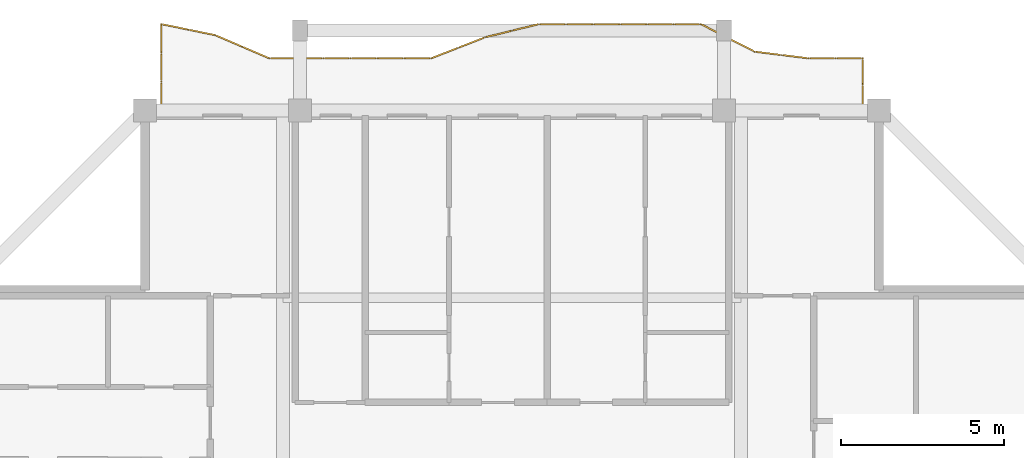
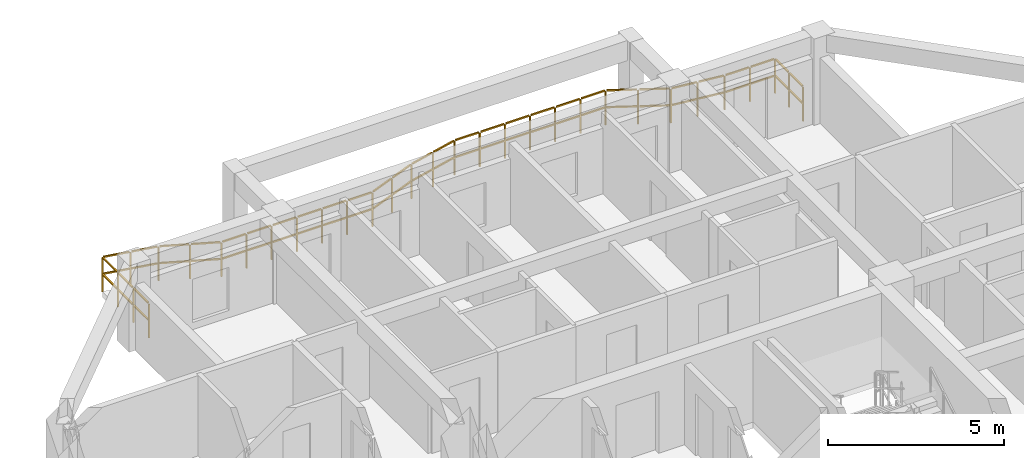
# One storey, part 14 of 14: 1 railing.
"""IFC4 building model written with IfcOpenShell, lengths in metres."""

from ifc_helpers import new_model, si_unit, direction, frame, origin, origin_2d, place, context, subcontext, project, spatial, rectangle, extrude, material, type_object, element, save


model = new_model("IFC4")

# Units and contexts
model_context = context("Model", 3, precision=1e-05, world=origin(), true_north=direction((0.0, 1.0)))
body_context = subcontext(model_context, "Body", "Model", "MODEL_VIEW")
ifc_project = project(units=[si_unit("LENGTHUNIT", "METRE"), si_unit("AREAUNIT", "SQUARE_METRE"), si_unit("VOLUMEUNIT", "CUBIC_METRE"), si_unit("PLANEANGLEUNIT", "RADIAN"), si_unit("MASSUNIT", "GRAM", prefix="KILO")], contexts=[model_context])

# Site, building, storey
site_placement = place(None, origin())
site = spatial("IfcSite", under=ifc_project, at=site_placement, CompositionType="ELEMENT")
building_placement = place(site_placement, origin())
building = spatial("IfcBuilding", under=site, at=building_placement, Name="Saelheon Loggia Tower", CompositionType="ELEMENT")
storey_placement = place(building_placement, frame((0.0, 0.0, 230.10009765625)))
storey = spatial("IfcBuildingStorey", under=building, at=storey_placement, Name="L71", CompositionType="ELEMENT", Elevation=230.10009765625)

# Railing
ifc_material = material(Name="Architectural Precast Concrete and Laminated Glass Guard", Category="concrete")
railing_type = type_object("IfcRailingType", Name="Guard_Loggia_RL_LOG", PredefinedType="BALUSTRADE", material=ifc_material)
railing_placement = place(storey_placement, frame((48.75, 48.0, 0.0)))
element("IfcRailing", 1, at=railing_placement, inside=storey, type_object=railing_type, Name="L71 North Loggia Balustrade", PredefinedType="BALUSTRADE", context=body_context, shape_type="SweptSolid", body=[
    extrude(rectangle(XDim=0.048095703125, YDim=0.048095703125, at=origin_2d()), frame((0.0, 0.033203125, 1.19580078125), z_axis=(0.0, 1.0, 0.0), x_axis=(-1.0, 0.0, 0.0)), (0.0, 0.0, 1.0), 0.733642578125),
    extrude(rectangle(XDim=0.048095703125, YDim=0.048095703125, at=origin_2d()), frame((0.0, 0.033203125, 0.60986328125), z_axis=(0.0, 1.0, 0.0), x_axis=(-1.0, 0.0, 0.0)), (0.0, 0.0, 1.0), 0.733642578125),
    extrude(rectangle(XDim=0.048095703125, YDim=0.048095703125, at=origin_2d()), frame((0.0, 0.833251953125, 1.19580078125), z_axis=(0.0, 1.0, 0.0), x_axis=(-1.0, 0.0, 0.0)), (0.0, 0.0, 1.0), 0.733642578125),
    extrude(rectangle(XDim=0.048095703125, YDim=0.048095703125, at=origin_2d()), frame((0.0, 0.833251953125, 0.60986328125), z_axis=(0.0, 1.0, 0.0), x_axis=(-1.0, 0.0, 0.0)), (0.0, 0.0, 1.0), 0.733642578125),
    extrude(rectangle(XDim=0.048095703125, YDim=0.048095703125, at=origin_2d()), frame((-0.033203125, 1.60009765625, 1.19580078125), z_axis=(-1.0, 0.0, 0.0), x_axis=(0.0, -1.0, 0.0)), (0.0, 0.0, 1.0), 0.760498046875),
    extrude(rectangle(XDim=0.048095703125, YDim=0.048095703125, at=origin_2d()), frame((-0.033203125, 1.60009765625, 0.60986328125), z_axis=(-1.0, 0.0, 0.0), x_axis=(0.0, -1.0, 0.0)), (0.0, 0.0, 1.0), 0.760498046875),
    extrude(rectangle(XDim=0.048095703125, YDim=0.048095703125, at=origin_2d()), frame((-0.860107421875, 1.60009765625, 1.19580078125), z_axis=(-1.0, 0.0, 0.0), x_axis=(0.0, -1.0, 0.0)), (0.0, 0.0, 1.0), 0.760498046875),
    extrude(rectangle(XDim=0.048095703125, YDim=0.048095703125, at=origin_2d()), frame((-0.860107421875, 1.60009765625, 0.60986328125), z_axis=(-1.0, 0.0, 0.0), x_axis=(0.0, -1.0, 0.0)), (0.0, 0.0, 1.0), 0.760498046875),
    extrude(rectangle(XDim=0.048095703125, YDim=0.048095703125, at=origin_2d()), frame((-1.686767578125, 1.604248046875, 1.19580078125), z_axis=(-0.99243485013, 0.122772424625, 0.0), x_axis=(-0.122772424625, -0.99243485013, 0.0)), (0.0, 0.0, 1.0), 0.766845703125),
    extrude(rectangle(XDim=0.048095703125, YDim=0.048095703125, at=origin_2d()), frame((-1.686767578125, 1.604248046875, 0.60986328125), z_axis=(-0.99243485013, 0.122772424625, 0.0), x_axis=(-0.122772424625, -0.99243485013, 0.0)), (0.0, 0.0, 1.0), 0.766845703125),
    extrude(rectangle(XDim=0.048095703125, YDim=0.048095703125, at=origin_2d()), frame((-2.513671875, 1.70654296875, 1.19580078125), z_axis=(-0.99243485013, 0.122772424625, 0.0), x_axis=(-0.122772424625, -0.99243485013, 0.0)), (0.0, 0.0, 1.0), 0.766845703125),
    extrude(rectangle(XDim=0.048095703125, YDim=0.048095703125, at=origin_2d()), frame((-2.513671875, 1.70654296875, 0.60986328125), z_axis=(-0.99243485013, 0.122772424625, 0.0), x_axis=(-0.122772424625, -0.99243485013, 0.0)), (0.0, 0.0, 1.0), 0.766845703125),
    extrude(rectangle(XDim=0.048095703125, YDim=0.048095703125, at=origin_2d()), frame((-3.337158203125, 1.81982421875, 1.19580078125), z_axis=(-0.890448887114, 0.455083266488, 0.0), x_axis=(-0.455083266488, -0.890448887114, 0.0)), (0.0, 0.0, 1.0), 0.862060546875),
    extrude(rectangle(XDim=0.048095703125, YDim=0.048095703125, at=origin_2d()), frame((-3.337158203125, 1.81982421875, 0.60986328125), z_axis=(-0.890448887114, 0.455083266488, 0.0), x_axis=(-0.455083266488, -0.890448887114, 0.0)), (0.0, 0.0, 1.0), 0.862060546875),
    extrude(rectangle(XDim=0.048095703125, YDim=0.048095703125, at=origin_2d()), frame((-4.1640625, 2.242431640625, 1.19580078125), z_axis=(-0.890448887114, 0.455083266488, 0.0), x_axis=(-0.455083266488, -0.890448887114, 0.0)), (0.0, 0.0, 1.0), 0.862060546875),
    extrude(rectangle(XDim=0.048095703125, YDim=0.048095703125, at=origin_2d()), frame((-4.1640625, 2.242431640625, 0.60986328125), z_axis=(-0.890448887114, 0.455083266488, 0.0), x_axis=(-0.455083266488, -0.890448887114, 0.0)), (0.0, 0.0, 1.0), 0.862060546875),
    extrude(rectangle(XDim=0.048095703125, YDim=0.048095703125, at=origin_2d()), frame((-4.99462890625, 2.64990234375, 1.19580078125), z_axis=(-1.0, 0.0, 0.0), x_axis=(0.0, -1.0, 0.0)), (0.0, 0.0, 1.0), 0.760498046875),
    extrude(rectangle(XDim=0.048095703125, YDim=0.048095703125, at=origin_2d()), frame((-4.99462890625, 2.64990234375, 0.60986328125), z_axis=(-1.0, 0.0, 0.0), x_axis=(0.0, -1.0, 0.0)), (0.0, 0.0, 1.0), 0.760498046875),
    extrude(rectangle(XDim=0.048095703125, YDim=0.048095703125, at=origin_2d()), frame((-5.82177734375, 2.64990234375, 1.19580078125), z_axis=(-1.0, 0.0, 0.0), x_axis=(0.0, -1.0, 0.0)), (0.0, 0.0, 1.0), 0.760498046875),
    extrude(rectangle(XDim=0.048095703125, YDim=0.048095703125, at=origin_2d()), frame((-5.82177734375, 2.64990234375, 0.60986328125), z_axis=(-1.0, 0.0, 0.0), x_axis=(0.0, -1.0, 0.0)), (0.0, 0.0, 1.0), 0.760498046875),
    extrude(rectangle(XDim=0.048095703125, YDim=0.048095703125, at=origin_2d()), frame((-6.648681640625, 2.64990234375, 1.19580078125), z_axis=(-1.0, 0.0, 0.0), x_axis=(0.0, -1.0, 0.0)), (0.0, 0.0, 1.0), 0.760498046875),
    extrude(rectangle(XDim=0.048095703125, YDim=0.048095703125, at=origin_2d()), frame((-6.648681640625, 2.64990234375, 0.60986328125), z_axis=(-1.0, 0.0, 0.0), x_axis=(0.0, -1.0, 0.0)), (0.0, 0.0, 1.0), 0.760498046875),
    extrude(rectangle(XDim=0.048095703125, YDim=0.048095703125, at=origin_2d()), frame((-7.4755859375, 2.64990234375, 1.19580078125), z_axis=(-1.0, 0.0, 0.0), x_axis=(0.0, -1.0, 0.0)), (0.0, 0.0, 1.0), 0.760498046875),
    extrude(rectangle(XDim=0.048095703125, YDim=0.048095703125, at=origin_2d()), frame((-7.4755859375, 2.64990234375, 0.60986328125), z_axis=(-1.0, 0.0, 0.0), x_axis=(0.0, -1.0, 0.0)), (0.0, 0.0, 1.0), 0.760498046875),
    extrude(rectangle(XDim=0.048095703125, YDim=0.048095703125, at=origin_2d()), frame((-8.302490234375, 2.64990234375, 1.19580078125), z_axis=(-1.0, 0.0, 0.0), x_axis=(0.0, -1.0, 0.0)), (0.0, 0.0, 1.0), 0.760498046875),
    extrude(rectangle(XDim=0.048095703125, YDim=0.048095703125, at=origin_2d()), frame((-8.302490234375, 2.64990234375, 0.60986328125), z_axis=(-1.0, 0.0, 0.0), x_axis=(0.0, -1.0, 0.0)), (0.0, 0.0, 1.0), 0.760498046875),
    extrude(rectangle(XDim=0.048095703125, YDim=0.048095703125, at=origin_2d()), frame((-9.12939453125, 2.64990234375, 1.19580078125), z_axis=(-1.0, 0.0, 0.0), x_axis=(0.0, -1.0, 0.0)), (0.0, 0.0, 1.0), 0.760498046875),
    extrude(rectangle(XDim=0.048095703125, YDim=0.048095703125, at=origin_2d()), frame((-9.12939453125, 2.64990234375, 0.60986328125), z_axis=(-1.0, 0.0, 0.0), x_axis=(0.0, -1.0, 0.0)), (0.0, 0.0, 1.0), 0.760498046875),
    extrude(rectangle(XDim=0.048095703125, YDim=0.048095703125, at=origin_2d()), frame((-9.955322265625, 2.64208984375, 1.19580078125), z_axis=(-0.971162634312, -0.238417989498, 0.0), x_axis=(0.238417989498, -0.971162634312, 0.0)), (0.0, 0.0, 1.0), 0.784912109375),
    extrude(rectangle(XDim=0.048095703125, YDim=0.048095703125, at=origin_2d()), frame((-9.955322265625, 2.64208984375, 0.60986328125), z_axis=(-0.971162634312, -0.238417989498, 0.0), x_axis=(0.238417989498, -0.971162634312, 0.0)), (0.0, 0.0, 1.0), 0.784912109375),
    extrude(rectangle(XDim=0.048095703125, YDim=0.048095703125, at=origin_2d()), frame((-10.7822265625, 2.43896484375, 1.19580078125), z_axis=(-0.971162634312, -0.238417989498, 0.0), x_axis=(0.238417989498, -0.971162634312, 0.0)), (0.0, 0.0, 1.0), 0.784912109375),
    extrude(rectangle(XDim=0.048095703125, YDim=0.048095703125, at=origin_2d()), frame((-10.7822265625, 2.43896484375, 0.60986328125), z_axis=(-0.971162634312, -0.238417989498, 0.0), x_axis=(0.238417989498, -0.971162634312, 0.0)), (0.0, 0.0, 1.0), 0.784912109375),
    extrude(rectangle(XDim=0.048095703125, YDim=0.048095703125, at=origin_2d()), frame((-11.60791015625, 2.23193359375, 1.19580078125), z_axis=(-0.931880695879, -0.362764894454, 0.0), x_axis=(0.362764894454, -0.931880695879, 0.0)), (0.0, 0.0, 1.0), 0.82080078125),
    extrude(rectangle(XDim=0.048095703125, YDim=0.048095703125, at=origin_2d()), frame((-11.60791015625, 2.23193359375, 0.60986328125), z_axis=(-0.931880695879, -0.362764894454, 0.0), x_axis=(0.362764894454, -0.931880695879, 0.0)), (0.0, 0.0, 1.0), 0.82080078125),
    extrude(rectangle(XDim=0.048095703125, YDim=0.048095703125, at=origin_2d()), frame((-12.434814453125, 1.909912109375, 1.19580078125), z_axis=(-0.931880695879, -0.362764894454, 0.0), x_axis=(0.362764894454, -0.931880695879, 0.0)), (0.0, 0.0, 1.0), 0.82080078125),
    extrude(rectangle(XDim=0.048095703125, YDim=0.048095703125, at=origin_2d()), frame((-12.434814453125, 1.909912109375, 0.60986328125), z_axis=(-0.931880695879, -0.362764894454, 0.0), x_axis=(0.362764894454, -0.931880695879, 0.0)), (0.0, 0.0, 1.0), 0.82080078125),
    extrude(rectangle(XDim=0.048095703125, YDim=0.048095703125, at=origin_2d()), frame((-13.263916015625, 1.60009765625, 1.19580078125), z_axis=(-1.0, 0.0, 0.0), x_axis=(0.0, -1.0, 0.0)), (0.0, 0.0, 1.0), 0.760498046875),
    extrude(rectangle(XDim=0.048095703125, YDim=0.048095703125, at=origin_2d()), frame((-13.263916015625, 1.60009765625, 0.60986328125), z_axis=(-1.0, 0.0, 0.0), x_axis=(0.0, -1.0, 0.0)), (0.0, 0.0, 1.0), 0.760498046875),
    extrude(rectangle(XDim=0.048095703125, YDim=0.048095703125, at=origin_2d()), frame((-14.0908203125, 1.60009765625, 1.19580078125), z_axis=(-1.0, 0.0, 0.0), x_axis=(0.0, -1.0, 0.0)), (0.0, 0.0, 1.0), 0.760498046875),
    extrude(rectangle(XDim=0.048095703125, YDim=0.048095703125, at=origin_2d()), frame((-14.0908203125, 1.60009765625, 0.60986328125), z_axis=(-1.0, 0.0, 0.0), x_axis=(0.0, -1.0, 0.0)), (0.0, 0.0, 1.0), 0.760498046875),
    extrude(rectangle(XDim=0.048095703125, YDim=0.048095703125, at=origin_2d()), frame((-14.917724609375, 1.60009765625, 1.19580078125), z_axis=(-1.0, 0.0, 0.0), x_axis=(0.0, -1.0, 0.0)), (0.0, 0.0, 1.0), 0.760498046875),
    extrude(rectangle(XDim=0.048095703125, YDim=0.048095703125, at=origin_2d()), frame((-14.917724609375, 1.60009765625, 0.60986328125), z_axis=(-1.0, 0.0, 0.0), x_axis=(0.0, -1.0, 0.0)), (0.0, 0.0, 1.0), 0.760498046875),
    extrude(rectangle(XDim=0.048095703125, YDim=0.048095703125, at=origin_2d()), frame((-15.744873046875, 1.60009765625, 1.19580078125), z_axis=(-1.0, 0.0, 0.0), x_axis=(0.0, -1.0, 0.0)), (0.0, 0.0, 1.0), 0.760498046875),
    extrude(rectangle(XDim=0.048095703125, YDim=0.048095703125, at=origin_2d()), frame((-15.744873046875, 1.60009765625, 0.60986328125), z_axis=(-1.0, 0.0, 0.0), x_axis=(0.0, -1.0, 0.0)), (0.0, 0.0, 1.0), 0.760498046875),
    extrude(rectangle(XDim=0.048095703125, YDim=0.048095703125, at=origin_2d()), frame((-16.57177734375, 1.60009765625, 1.19580078125), z_axis=(-1.0, 0.0, 0.0), x_axis=(0.0, -1.0, 0.0)), (0.0, 0.0, 1.0), 0.760498046875),
    extrude(rectangle(XDim=0.048095703125, YDim=0.048095703125, at=origin_2d()), frame((-16.57177734375, 1.60009765625, 0.60986328125), z_axis=(-1.0, 0.0, 0.0), x_axis=(0.0, -1.0, 0.0)), (0.0, 0.0, 1.0), 0.760498046875),
    extrude(rectangle(XDim=0.048095703125, YDim=0.048095703125, at=origin_2d()), frame((-17.398681640625, 1.60009765625, 1.19580078125), z_axis=(-1.0, 0.0, 0.0), x_axis=(0.0, -1.0, 0.0)), (0.0, 0.0, 1.0), 0.760498046875),
    extrude(rectangle(XDim=0.048095703125, YDim=0.048095703125, at=origin_2d()), frame((-17.398681640625, 1.60009765625, 0.60986328125), z_axis=(-1.0, 0.0, 0.0), x_axis=(0.0, -1.0, 0.0)), (0.0, 0.0, 1.0), 0.760498046875),
    extrude(rectangle(XDim=0.048095703125, YDim=0.048095703125, at=origin_2d()), frame((-18.222900390625, 1.61328125, 1.19580078125), z_axis=(-0.918807939156, 0.39470491629, 0.0), x_axis=(-0.39470491629, -0.918807939156, 0.0)), (0.0, 0.0, 1.0), 0.83349609375),
    extrude(rectangle(XDim=0.048095703125, YDim=0.048095703125, at=origin_2d()), frame((-18.222900390625, 1.61328125, 0.60986328125), z_axis=(-0.918807939156, 0.39470491629, 0.0), x_axis=(-0.39470491629, -0.918807939156, 0.0)), (0.0, 0.0, 1.0), 0.83349609375),
    extrude(rectangle(XDim=0.048095703125, YDim=0.048095703125, at=origin_2d()), frame((-19.0498046875, 1.968505859375, 1.19580078125), z_axis=(-0.918807939156, 0.39470491629, 0.0), x_axis=(-0.39470491629, -0.918807939156, 0.0)), (0.0, 0.0, 1.0), 0.83349609375),
    extrude(rectangle(XDim=0.048095703125, YDim=0.048095703125, at=origin_2d()), frame((-19.0498046875, 1.968505859375, 0.60986328125), z_axis=(-0.918807939156, 0.39470491629, 0.0), x_axis=(-0.39470491629, -0.918807939156, 0.0)), (0.0, 0.0, 1.0), 0.83349609375),
    extrude(rectangle(XDim=0.048095703125, YDim=0.048095703125, at=origin_2d()), frame((-19.878662109375, 2.317138671875, 1.19580078125), z_axis=(-0.979589560459, 0.201008191473, 0.0), x_axis=(-0.201008191473, -0.979589560459, 0.0)), (0.0, 0.0, 1.0), 0.777587890625),
    extrude(rectangle(XDim=0.048095703125, YDim=0.048095703125, at=origin_2d()), frame((-19.878662109375, 2.317138671875, 0.60986328125), z_axis=(-0.979589560459, 0.201008191473, 0.0), x_axis=(-0.201008191473, -0.979589560459, 0.0)), (0.0, 0.0, 1.0), 0.777587890625),
    extrude(rectangle(XDim=0.048095703125, YDim=0.048095703125, at=origin_2d()), frame((-20.70556640625, 2.48681640625, 1.19580078125), z_axis=(-0.979589560459, 0.201008191473, 0.0), x_axis=(-0.201008191473, -0.979589560459, 0.0)), (0.0, 0.0, 1.0), 0.777587890625),
    extrude(rectangle(XDim=0.048095703125, YDim=0.048095703125, at=origin_2d()), frame((-20.70556640625, 2.48681640625, 0.60986328125), z_axis=(-0.979589560459, 0.201008191473, 0.0), x_axis=(-0.201008191473, -0.979589560459, 0.0)), (0.0, 0.0, 1.0), 0.777587890625),
    extrude(rectangle(XDim=0.048095703125, YDim=0.048095703125, at=origin_2d()), frame((-21.5, 2.61669921875, 1.19580078125), z_axis=(0.0, -1.0, 0.0), x_axis=(1.0, 0.0, 0.0)), (0.0, 0.0, 1.0), 0.81689453125),
    extrude(rectangle(XDim=0.048095703125, YDim=0.048095703125, at=origin_2d()), frame((-21.5, 2.61669921875, 0.60986328125), z_axis=(0.0, -1.0, 0.0), x_axis=(1.0, 0.0, 0.0)), (0.0, 0.0, 1.0), 0.81689453125),
    extrude(rectangle(XDim=0.048095703125, YDim=0.048095703125, at=origin_2d()), frame((-21.5, 1.7333984375, 1.19580078125), z_axis=(0.0, -1.0, 0.0), x_axis=(1.0, 0.0, 0.0)), (0.0, 0.0, 1.0), 0.81689453125),
    extrude(rectangle(XDim=0.048095703125, YDim=0.048095703125, at=origin_2d()), frame((-21.5, 1.7333984375, 0.60986328125), z_axis=(0.0, -1.0, 0.0), x_axis=(1.0, 0.0, 0.0)), (0.0, 0.0, 1.0), 0.81689453125),
    extrude(rectangle(XDim=0.048095703125, YDim=0.048095703125, at=origin_2d()), frame((-21.5, 0.85009765625, 1.19580078125), z_axis=(0.0, -1.0, 0.0), x_axis=(1.0, 0.0, 0.0)), (0.0, 0.0, 1.0), 0.81689453125),
    extrude(rectangle(XDim=0.048095703125, YDim=0.048095703125, at=origin_2d()), frame((-21.5, 0.85009765625, 0.60986328125), z_axis=(0.0, -1.0, 0.0), x_axis=(1.0, 0.0, 0.0)), (0.0, 0.0, 1.0), 0.81689453125),
    extrude(rectangle(XDim=0.0419921875, YDim=0.0419921875, at=origin_2d()), origin(), (0.0, 0.0, 1.0), 1.16796875),
    extrude(rectangle(XDim=0.0419921875, YDim=0.0419921875, at=origin_2d()), frame((0.0, 0.800048828125, 0.0)), (0.0, 0.0, 1.0), 1.16796875),
    extrude(rectangle(XDim=0.0419921875, YDim=0.0419921875, at=origin_2d()), frame((0.0, 1.60009765625, 0.0)), (0.0, 0.0, 1.0), 1.16796875),
    extrude(rectangle(XDim=0.0419921875, YDim=0.0419921875, at=origin_2d()), frame((-0.826904296875, 1.60009765625, 0.0)), (0.0, 0.0, 1.0), 1.16796875),
    extrude(rectangle(XDim=0.0419921875, YDim=0.0419921875, at=origin_2d()), frame((-1.65380859375, 1.60009765625, 0.0)), (0.0, 0.0, 1.0), 1.16796875),
    extrude(rectangle(XDim=0.0419921875, YDim=0.0419921875, at=origin_2d()), frame((-2.480712890625, 1.702392578125, 0.0)), (0.0, 0.0, 1.0), 1.16796875),
    extrude(rectangle(XDim=0.0419921875, YDim=0.0419921875, at=origin_2d()), frame((-3.3076171875, 1.8046875, 0.0)), (0.0, 0.0, 1.0), 1.16796875),
    extrude(rectangle(XDim=0.0419921875, YDim=0.0419921875, at=origin_2d()), frame((-4.134521484375, 2.227294921875, 0.0)), (0.0, 0.0, 1.0), 1.16796875),
    extrude(rectangle(XDim=0.0419921875, YDim=0.0419921875, at=origin_2d()), frame((-4.96142578125, 2.64990234375, 0.0)), (0.0, 0.0, 1.0), 1.16796875),
    extrude(rectangle(XDim=0.0419921875, YDim=0.0419921875, at=origin_2d()), frame((-5.78857421875, 2.64990234375, 0.0)), (0.0, 0.0, 1.0), 1.16796875),
    extrude(rectangle(XDim=0.0419921875, YDim=0.0419921875, at=origin_2d()), frame((-6.615478515625, 2.64990234375, 0.0)), (0.0, 0.0, 1.0), 1.16796875),
    extrude(rectangle(XDim=0.0419921875, YDim=0.0419921875, at=origin_2d()), frame((-7.4423828125, 2.64990234375, 0.0)), (0.0, 0.0, 1.0), 1.16796875),
    extrude(rectangle(XDim=0.0419921875, YDim=0.0419921875, at=origin_2d()), frame((-8.269287109375, 2.64990234375, 0.0)), (0.0, 0.0, 1.0), 1.16796875),
    extrude(rectangle(XDim=0.0419921875, YDim=0.0419921875, at=origin_2d()), frame((-9.09619140625, 2.64990234375, 0.0)), (0.0, 0.0, 1.0), 1.16796875),
    extrude(rectangle(XDim=0.0419921875, YDim=0.0419921875, at=origin_2d()), frame((-9.923095703125, 2.64990234375, 0.0)), (0.0, 0.0, 1.0), 1.16796875),
    extrude(rectangle(XDim=0.0419921875, YDim=0.0419921875, at=origin_2d()), frame((-10.75, 2.44677734375, 0.0)), (0.0, 0.0, 1.0), 1.16796875),
    extrude(rectangle(XDim=0.0419921875, YDim=0.0419921875, at=origin_2d()), frame((-11.576904296875, 2.243896484375, 0.0)), (0.0, 0.0, 1.0), 1.16796875),
    extrude(rectangle(XDim=0.0419921875, YDim=0.0419921875, at=origin_2d()), frame((-12.40380859375, 1.921875, 0.0)), (0.0, 0.0, 1.0), 1.16796875),
    extrude(rectangle(XDim=0.0419921875, YDim=0.0419921875, at=origin_2d()), frame((-13.230712890625, 1.60009765625, 0.0)), (0.0, 0.0, 1.0), 1.16796875),
    extrude(rectangle(XDim=0.0419921875, YDim=0.0419921875, at=origin_2d()), frame((-14.0576171875, 1.60009765625, 0.0)), (0.0, 0.0, 1.0), 1.16796875),
    extrude(rectangle(XDim=0.0419921875, YDim=0.0419921875, at=origin_2d()), frame((-14.884521484375, 1.60009765625, 0.0)), (0.0, 0.0, 1.0), 1.16796875),
    extrude(rectangle(XDim=0.0419921875, YDim=0.0419921875, at=origin_2d()), frame((-15.71142578125, 1.60009765625, 0.0)), (0.0, 0.0, 1.0), 1.16796875),
    extrude(rectangle(XDim=0.0419921875, YDim=0.0419921875, at=origin_2d()), frame((-16.53857421875, 1.60009765625, 0.0)), (0.0, 0.0, 1.0), 1.16796875),
    extrude(rectangle(XDim=0.0419921875, YDim=0.0419921875, at=origin_2d()), frame((-17.365478515625, 1.60009765625, 0.0)), (0.0, 0.0, 1.0), 1.16796875),
    extrude(rectangle(XDim=0.0419921875, YDim=0.0419921875, at=origin_2d()), frame((-18.1923828125, 1.60009765625, 0.0)), (0.0, 0.0, 1.0), 1.16796875),
    extrude(rectangle(XDim=0.0419921875, YDim=0.0419921875, at=origin_2d()), frame((-19.019287109375, 1.955322265625, 0.0)), (0.0, 0.0, 1.0), 1.16796875),
    extrude(rectangle(XDim=0.0419921875, YDim=0.0419921875, at=origin_2d()), frame((-19.84619140625, 2.310546875, 0.0)), (0.0, 0.0, 1.0), 1.16796875),
    extrude(rectangle(XDim=0.0419921875, YDim=0.0419921875, at=origin_2d()), frame((-20.673095703125, 2.480224609375, 0.0)), (0.0, 0.0, 1.0), 1.16796875),
    extrude(rectangle(XDim=0.0419921875, YDim=0.0419921875, at=origin_2d()), frame((-21.5, 2.64990234375, 0.0)), (0.0, 0.0, 1.0), 1.16796875),
    extrude(rectangle(XDim=0.0419921875, YDim=0.0419921875, at=origin_2d()), frame((-21.5, 1.7666015625, 0.0)), (0.0, 0.0, 1.0), 1.16796875),
    extrude(rectangle(XDim=0.0419921875, YDim=0.0419921875, at=origin_2d()), frame((-21.5, 0.88330078125, 0.0)), (0.0, 0.0, 1.0), 1.16796875),
    extrude(rectangle(XDim=0.0419921875, YDim=0.0419921875, at=origin_2d()), frame((-21.5, 0.0, 0.0)), (0.0, 0.0, 1.0), 1.16796875),
])

save(model, "model.ifc")
